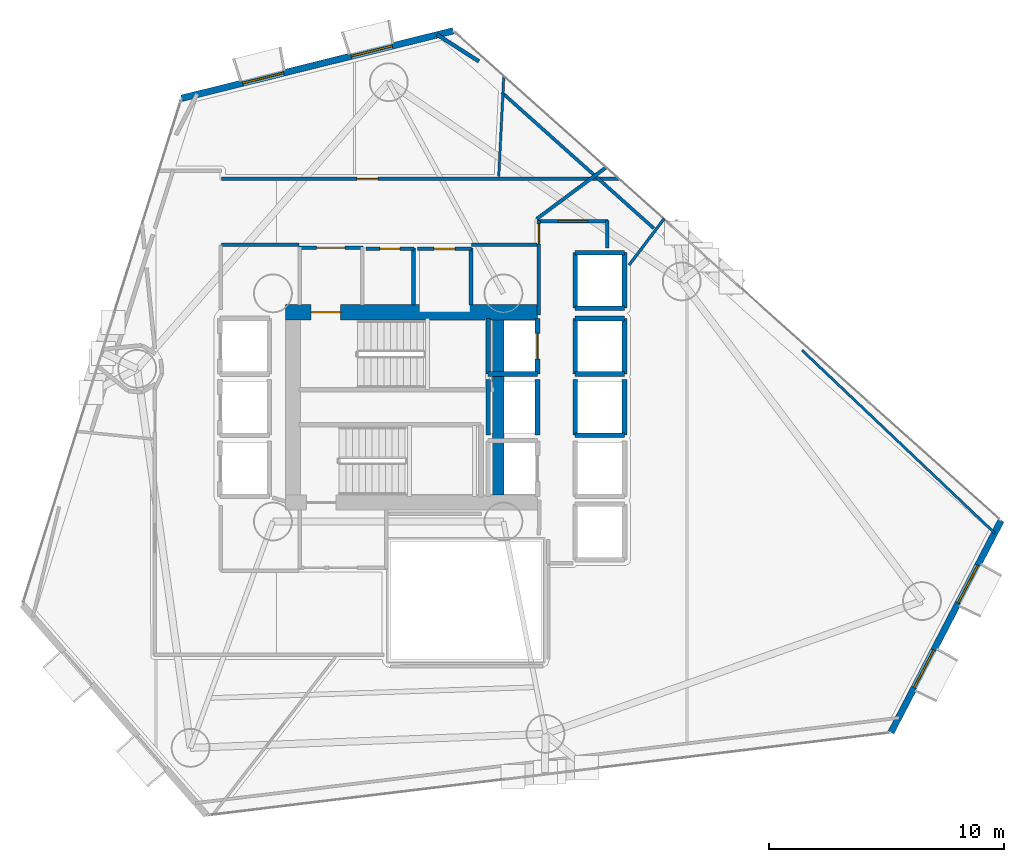
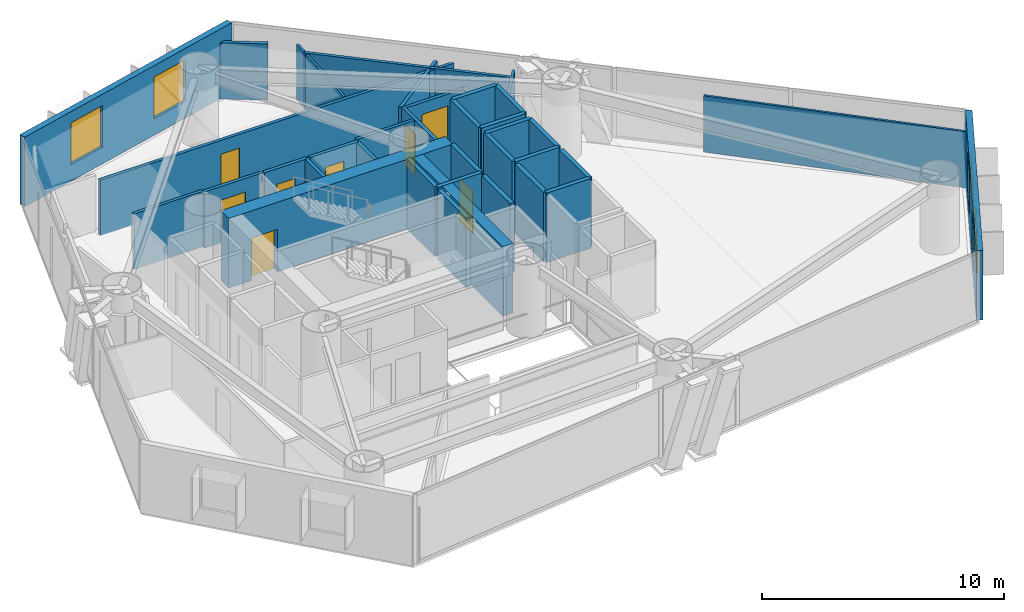
# One storey, part 19 of 24: 37 walls, 8 doors, 4 windows, 12 openings.
"""IFC4 building model written with IfcOpenShell, lengths in metres."""

from ifc_helpers import new_model, si_unit, direction, frame, frame_2d, origin, place, context, subcontext, project, spatial, rectangle, extrude, material, layer, layer_set, type_object, element, fill, save


model = new_model("IFC4")

# Units and contexts
model_context = context("Model", 3, precision=1e-05, world=origin(), true_north=direction((0.0, 1.0)))
body_context = subcontext(model_context, "Body", "Model", "MODEL_VIEW")
ifc_project = project(units=[si_unit("LENGTHUNIT", "METRE"), si_unit("AREAUNIT", "SQUARE_METRE"), si_unit("VOLUMEUNIT", "CUBIC_METRE"), si_unit("PLANEANGLEUNIT", "RADIAN"), si_unit("MASSUNIT", "GRAM", prefix="KILO")], contexts=[model_context])

# Site, building, storey
site_placement = place(None, origin())
site = spatial("IfcSite", under=ifc_project, at=site_placement, CompositionType="ELEMENT")
building_placement = place(site_placement, origin())
building = spatial("IfcBuilding", under=site, at=building_placement, Name="Qianvela Tower", CompositionType="ELEMENT")
storey_placement = place(building_placement, frame((0.0, 0.0, 71.0)))
storey = spatial("IfcBuildingStorey", under=building, at=storey_placement, Name="L17", CompositionType="ELEMENT", Elevation=71.0)

# Wall, openings, windows
ifc_material_1 = material(Name="Terracotta Cladding on Concrete C40", Category="masonry")
ifc_layer_1 = layer(ifc_material_1, 0.280029296875)
ifc_layer_set_1 = layer_set([ifc_layer_1], Name="Terracotta Cladding on Concrete C40")
wall_type_1 = type_object("IfcWallType", Name="TERRACOTTA-WALL-280", PredefinedType="SOLIDWALL", material=ifc_layer_set_1)
wall_1_placement = place(storey_placement, frame((54.879150390625, 14.88330078125, 0.0), z_axis=(0.0, 0.0, 1.0), x_axis=(0.461177770225, 0.887307761856, 0.0)))
wall_1 = element("IfcWall", 1, at=wall_1_placement, inside=storey, type_object=wall_type_1, Name="L17 Terracotta Chamfer Facet Wall 1", PredefinedType="SOLIDWALL", context=body_context, shape_type="SweptSolid", body=[
    extrude(rectangle(XDim=10.1494140625, YDim=0.280029296875, at=frame_2d((5.07470703125, 0.0))), origin(), (0.0, 0.0, 1.0), 3.52001953125),
])
opening_1_placement = place(wall_1_placement, frame((2.144775390625, 0.0, 0.85009765625)))
opening_1 = element("IfcOpeningElement", 2, at=opening_1_placement, cuts=wall_1, Name="Opening W-01", PredefinedType="OPENING", context=body_context, shape_type="SweptSolid", body=[
    extrude(rectangle(XDim=1.800048828125, YDim=2.10009765625, at=frame_2d((0.89990234375, 1.050048828125))), frame((0.0, 0.14990234375, 0.0), z_axis=(0.0, -1.0, 0.0), x_axis=(1.0, 0.0, 0.0)), (0.0, 0.0, 1.0), 0.300048828125),
])
opening_2_placement = place(wall_1_placement, frame((6.20458984375, 0.0, 0.85009765625)))
opening_2 = element("IfcOpeningElement", 3, at=opening_2_placement, cuts=wall_1, Name="Opening W-01", PredefinedType="OPENING", context=body_context, shape_type="SweptSolid", body=[
    extrude(rectangle(XDim=1.800048828125, YDim=2.10009765625, at=frame_2d((0.89990234375, 1.050048828125))), frame((0.0, 0.14990234375, 0.0), z_axis=(0.0, -1.0, 0.0), x_axis=(1.0, 0.0, 0.0)), (0.0, 0.0, 1.0), 0.300048828125),
])
ifc_material_2 = material(Name="Thermally Broken Aluminium and Low-E Glass", Category="aluminium")
window_type = type_object("IfcWindowType", Name="WIN-TC-1800x2100", PartitioningType="DOUBLE_PANEL_VERTICAL", PredefinedType="WINDOW", material=ifc_material_2)
window_1_placement = place(opening_1_placement, origin())
window_1 = element("IfcWindow", 4, at=window_1_placement, inside=storey, type_object=window_type, Name="L17 Chamfer Facet Window 1.1", OverallHeight=2.10009765625, OverallWidth=1.800048828125, PartitioningType="SINGLE_PANEL", PredefinedType="WINDOW", context=body_context, shape_type="SweptSolid", body=[
    extrude(rectangle(XDim=1.800048828125, YDim=2.10009765625, at=frame_2d((0.89990234375, 1.050048828125))), frame((0.0, 0.030029296875, 0.0), z_axis=(0.0, -1.0, 0.0), x_axis=(1.0, 0.0, 0.0)), (0.0, 0.0, 1.0), 0.06005859375),
])
fill(opening_1, window_1)
window_2_placement = place(opening_2_placement, origin())
window_2 = element("IfcWindow", 5, at=window_2_placement, inside=storey, type_object=window_type, Name="L17 Chamfer Facet Window 1.2", OverallHeight=2.10009765625, OverallWidth=1.800048828125, PartitioningType="SINGLE_PANEL", PredefinedType="WINDOW", context=body_context, shape_type="SweptSolid", body=[
    extrude(rectangle(XDim=1.800048828125, YDim=2.10009765625, at=frame_2d((0.89990234375, 1.050048828125))), frame((0.0, 0.030029296875, 0.0), z_axis=(0.0, -1.0, 0.0), x_axis=(1.0, 0.0, 0.0)), (0.0, 0.0, 1.0), 0.06005859375),
])
fill(opening_2, window_2)

wall_2_placement = place(storey_placement, frame((36.263916015625, 44.712890625, 0.0), z_axis=(0.0, 0.0, 1.0), x_axis=(-0.97052151051, -0.241014517483, 0.0)))
wall_2 = element("IfcWall", 6, at=wall_2_placement, inside=storey, type_object=wall_type_1, Name="L17 Terracotta Chamfer Facet Wall 3", PredefinedType="SOLIDWALL", context=body_context, shape_type="SweptSolid", body=[
    extrude(rectangle(XDim=11.8984375, YDim=0.280029296875, at=frame_2d((5.94921875, 0.0))), origin(), (0.0, 0.0, 1.0), 3.52001953125),
])
opening_3_placement = place(wall_2_placement, frame((2.66943359375, 0.0, 0.85009765625)))
opening_3 = element("IfcOpeningElement", 7, at=opening_3_placement, cuts=wall_2, Name="Opening W-01", PredefinedType="OPENING", context=body_context, shape_type="SweptSolid", body=[
    extrude(rectangle(XDim=1.800048828125, YDim=2.10009765625, at=frame_2d((0.89990234375, 1.050048828125))), frame((0.0, 0.14990234375, 0.0), z_axis=(0.0, -1.0, 0.0), x_axis=(1.0, 0.0, 0.0)), (0.0, 0.0, 1.0), 0.300048828125),
])
opening_4_placement = place(wall_2_placement, frame((7.4287109375, 0.0, 0.85009765625)))
opening_4 = element("IfcOpeningElement", 8, at=opening_4_placement, cuts=wall_2, Name="Opening W-01", PredefinedType="OPENING", context=body_context, shape_type="SweptSolid", body=[
    extrude(rectangle(XDim=1.800048828125, YDim=2.10009765625, at=frame_2d((0.89990234375, 1.050048828125))), frame((0.0, 0.14990234375, 0.0), z_axis=(0.0, -1.0, 0.0), x_axis=(1.0, 0.0, 0.0)), (0.0, 0.0, 1.0), 0.300048828125),
])
window_3_placement = place(opening_3_placement, origin())
window_3 = element("IfcWindow", 9, at=window_3_placement, inside=storey, type_object=window_type, Name="L17 Chamfer Facet Window 3.1", OverallHeight=2.10009765625, OverallWidth=1.800048828125, PartitioningType="SINGLE_PANEL", PredefinedType="WINDOW", context=body_context, shape_type="SweptSolid", body=[
    extrude(rectangle(XDim=1.800048828125, YDim=2.10009765625, at=frame_2d((0.89990234375, 1.050048828125))), frame((0.0, 0.030029296875, 0.0), z_axis=(0.0, -1.0, 0.0), x_axis=(1.0, 0.0, 0.0)), (0.0, 0.0, 1.0), 0.06005859375),
])
fill(opening_3, window_3)
window_4_placement = place(opening_4_placement, origin())
window_4 = element("IfcWindow", 10, at=window_4_placement, inside=storey, type_object=window_type, Name="L17 Chamfer Facet Window 3.2", OverallHeight=2.10009765625, OverallWidth=1.800048828125, PartitioningType="SINGLE_PANEL", PredefinedType="WINDOW", context=body_context, shape_type="SweptSolid", body=[
    extrude(rectangle(XDim=1.800048828125, YDim=2.10009765625, at=frame_2d((0.89990234375, 1.050048828125))), frame((0.0, 0.030029296875, 0.0), z_axis=(0.0, -1.0, 0.0), x_axis=(1.0, 0.0, 0.0)), (0.0, 0.0, 1.0), 0.06005859375),
])
fill(opening_4, window_4)

# Wall, opening, door
ifc_material_3 = material(Name="Concrete C60", Category="concrete")
ifc_layer_2 = layer(ifc_material_3, 0.64990234375)
ifc_layer_set_2 = layer_set([ifc_layer_2], Name="Concrete C60")
wall_type_2 = type_object("IfcWallType", Name="WT-CORE-650", PredefinedType="SHEAR", material=ifc_layer_set_2)
wall_3_placement = place(storey_placement, frame((29.1298828125, 32.7451171875, 0.0), z_axis=(0.0, 0.0, 1.0), x_axis=(1.0, 0.0, 0.0)))
wall_3 = element("IfcWall", 11, at=wall_3_placement, inside=storey, type_object=wall_type_2, Name="L17 North Core Shear Wall", PredefinedType="SHEAR", context=body_context, shape_type="SweptSolid", body=[
    extrude(rectangle(XDim=10.72021484375, YDim=0.64990234375, at=frame_2d((5.360107421875, 0.0))), origin(), (0.0, 0.0, 1.0), 3.52001953125),
])
opening_5_placement = place(wall_3_placement, frame((1.094970703125, 0.0, 0.0)))
opening_5 = element("IfcOpeningElement", 12, at=opening_5_placement, cuts=wall_3, Name="Opening D-ST1", PredefinedType="OPENING", context=body_context, shape_type="SweptSolid", body=[
    extrude(rectangle(XDim=1.25, YDim=2.14990234375, at=frame_2d((0.625, 1.074951171875))), frame((0.0, 0.3349609375, 0.0), z_axis=(0.0, -1.0, 0.0), x_axis=(1.0, 0.0, 0.0)), (0.0, 0.0, 1.0), 0.669921875),
])
ifc_material_4 = material(Name="Galvanised Fire Steel Q355B", Category="steel")
door_type_1 = type_object("IfcDoorType", Name="DT-STAIR-FD90", OperationType="NOTDEFINED", PredefinedType="DOOR", material=ifc_material_4)
door_1_placement = place(opening_5_placement, origin())
door_1 = element("IfcDoor", 13, at=door_1_placement, inside=storey, type_object=door_type_1, Name="L17 Stair ST-1 Exit Door", OperationType="SINGLE_SWING_RIGHT", OverallHeight=2.14990234375, OverallWidth=1.25, PredefinedType="DOOR", context=body_context, shape_type="SweptSolid", body=[
    extrude(rectangle(XDim=1.25, YDim=2.14990234375, at=frame_2d((0.625, 1.074951171875))), frame((0.0, 0.02490234375, 0.0), z_axis=(0.0, -1.0, 0.0), x_axis=(1.0, 0.0, 0.0)), (0.0, 0.0, 1.0), 0.050048828125),
])
fill(opening_5, door_1)

# Wall
wall_4_placement = place(storey_placement, frame((38.179931640625, 24.97998046875, 0.0), z_axis=(0.0, 0.0, 1.0), x_axis=(0.0, 1.0, 0.0)))
element("IfcWall", 14, at=wall_4_placement, inside=storey, type_object=wall_type_2, Name="L17 East Spine Core Shear Wall", PredefinedType="SHEAR", context=body_context, shape_type="SweptSolid", body=[
    extrude(rectangle(XDim=7.43994140625, YDim=0.5, at=frame_2d((3.719970703125, 0.0))), origin(), (0.0, 0.0, 1.0), 3.52001953125),
])

# Wall, opening, door
ifc_material_5 = material(Name="Fire-Rated Acoustic Gypsum Board")
ifc_layer_3 = layer(ifc_material_5, 0.14990234375)
ifc_layer_set_3 = layer_set([ifc_layer_3], Name="Fire-Rated Acoustic Gypsum Board")
wall_type_3 = type_object("IfcWallType", Name="WT-CORR-150", PredefinedType="PARTITIONING", material=ifc_layer_set_3)
wall_5_placement = place(storey_placement, frame((29.699951171875, 35.489013671875, 0.0), z_axis=(0.0, 0.0, 1.0), x_axis=(1.0, 0.0, 0.0)))
wall_5 = element("IfcWall", 15, at=wall_5_placement, inside=storey, type_object=wall_type_3, Name="L17 Partition 3", PredefinedType="PARTITIONING", context=body_context, shape_type="SweptSolid", body=[
    extrude(rectangle(XDim=2.719970703125, YDim=0.14990234375, at=frame_2d((1.35986328125, 0.0))), origin(), (0.0, 0.0, 1.0), 2.840087890625),
])
opening_6_placement = place(wall_5_placement, frame((0.760009765625, 0.0, 0.0)))
opening_6 = element("IfcOpeningElement", 16, at=opening_6_placement, cuts=wall_5, Name="Opening D-LB1", PredefinedType="OPENING", context=body_context, shape_type="SweptSolid", body=[
    extrude(rectangle(XDim=1.199951171875, YDim=2.14990234375, at=frame_2d((0.60009765625, 1.074951171875))), frame((0.0, 0.0849609375, 0.0), z_axis=(0.0, -1.0, 0.0), x_axis=(1.0, 0.0, 0.0)), (0.0, 0.0, 1.0), 0.169921875),
])
ifc_material_6 = material(Name="Glazed Fire-Rated Steel Frame", Category="steel")
door_type_2 = type_object("IfcDoorType", Name="DT-LOBBY-FD90", OperationType="NOTDEFINED", PredefinedType="DOOR", material=ifc_material_6)
door_2_placement = place(opening_6_placement, origin())
door_2 = element("IfcDoor", 17, at=door_2_placement, inside=storey, type_object=door_type_2, Name="L17 Door L17 Firefighting Lobby North to L17 Floor Corridor", OperationType="SINGLE_SWING_LEFT", OverallHeight=2.14990234375, OverallWidth=1.199951171875, PredefinedType="DOOR", context=body_context, shape_type="SweptSolid", body=[
    extrude(rectangle(XDim=1.199951171875, YDim=2.14990234375, at=frame_2d((0.60009765625, 1.074951171875))), frame((0.0, 0.02490234375, 0.0), z_axis=(0.0, -1.0, 0.0), x_axis=(1.0, 0.0, 0.0)), (0.0, 0.0, 1.0), 0.050048828125),
])
fill(opening_6, door_2)

wall_6_placement = place(storey_placement, frame((39.910888671875, 32.639892578125, 0.0), z_axis=(0.0, 0.0, 1.0), x_axis=(0.0, 1.0, 0.0)))
wall_6 = element("IfcWall", 18, at=wall_6_placement, inside=storey, type_object=wall_type_3, Name="L17 Partition 10", PredefinedType="PARTITIONING", context=body_context, shape_type="SweptSolid", body=[
    extrude(rectangle(XDim=4.010009765625, YDim=0.14990234375, at=frame_2d((2.0048828125, 0.0))), origin(), (0.0, 0.0, 1.0), 2.840087890625),
])
opening_7_placement = place(wall_6_placement, frame((3.010009765625, 0.0, 0.0)))
opening_7 = element("IfcOpeningElement", 19, at=opening_7_placement, cuts=wall_6, Name="Opening D-LB2", PredefinedType="OPENING", context=body_context, shape_type="SweptSolid", body=[
    extrude(rectangle(XDim=0.860107421875, YDim=2.050048828125, at=frame_2d((0.43017578125, 1.02490234375))), frame((0.0, 0.0849609375, 0.0), z_axis=(0.0, -1.0, 0.0), x_axis=(1.0, 0.0, 0.0)), (0.0, 0.0, 1.0), 0.169921875),
])
ifc_material_7 = material(Name="Insulated Steel Fire Door Q355B", Category="steel")
door_type_3 = type_object("IfcDoorType", Name="DT-LOBBY-FD90-860", OperationType="NOTDEFINED", PredefinedType="DOOR", material=ifc_material_7)
door_3_placement = place(opening_7_placement, origin())
door_3 = element("IfcDoor", 20, at=door_3_placement, inside=storey, type_object=door_type_3, Name="L17 Door L17 Lift Lobby to L17 Floor Corridor", OperationType="SINGLE_SWING_LEFT", OverallHeight=2.050048828125, OverallWidth=0.860107421875, PredefinedType="DOOR", context=body_context, shape_type="SweptSolid", body=[
    extrude(rectangle(XDim=0.860107421875, YDim=2.050048828125, at=frame_2d((0.43017578125, 1.02490234375))), frame((0.0, 0.02490234375, 0.0), z_axis=(0.0, -1.0, 0.0), x_axis=(1.0, 0.0, 0.0)), (0.0, 0.0, 1.0), 0.050048828125),
])
fill(opening_7, door_3)

wall_7_placement = place(storey_placement, frame((39.8798828125, 36.618896484375, 0.0), z_axis=(0.0, 0.0, 1.0), x_axis=(1.0, 0.0, 0.0)))
wall_7 = element("IfcWall", 21, at=wall_7_placement, inside=storey, type_object=wall_type_3, Name="L17 Partition 11", PredefinedType="PARTITIONING", context=body_context, shape_type="SweptSolid", body=[
    extrude(rectangle(XDim=2.97021484375, YDim=0.14990234375, at=frame_2d((1.485107421875, 0.0))), origin(), (0.0, 0.0, 1.0), 2.798095703125),
])
opening_8_placement = place(wall_7_placement, frame((0.860107421875, 0.0, 0.0)))
opening_8 = element("IfcOpeningElement", 22, at=opening_8_placement, cuts=wall_7, Name="Opening D-LG1", PredefinedType="OPENING", context=body_context, shape_type="SweptSolid", body=[
    extrude(rectangle(XDim=1.25, YDim=2.199951171875, at=frame_2d((0.625, 1.10009765625))), frame((0.0, 0.0849609375, 0.0), z_axis=(0.0, -1.0, 0.0), x_axis=(1.0, 0.0, 0.0)), (0.0, 0.0, 1.0), 0.169921875),
])
ifc_material_8 = material(Name="Anodised Aluminium Acoustic Glass Door", Category="aluminium")
door_type_4 = type_object("IfcDoorType", Name="DT-LOUNGE-1250", OperationType="NOTDEFINED", PredefinedType="DOOR", material=ifc_material_8)
door_4_placement = place(opening_8_placement, origin())
door_4 = element("IfcDoor", 23, at=door_4_placement, inside=storey, type_object=door_type_4, Name="L17 Door Project Huddle Conference L17-03 to L17 Lift Lobby", OperationType="SINGLE_SWING_RIGHT", OverallHeight=2.199951171875, OverallWidth=1.25, PredefinedType="DOOR", context=body_context, shape_type="SweptSolid", body=[
    extrude(rectangle(XDim=1.25, YDim=2.199951171875, at=frame_2d((0.625, 1.10009765625))), frame((0.0, 0.02490234375, 0.0), z_axis=(0.0, -1.0, 0.0), x_axis=(1.0, 0.0, 0.0)), (0.0, 0.0, 1.0), 0.050048828125),
])
fill(opening_8, door_4)

# Wall
wall_8_placement = place(storey_placement, frame((42.819091796875, 36.64990234375, 0.0), z_axis=(0.0, 0.0, 1.0), x_axis=(0.0, -1.0, 0.0)))
element("IfcWall", 24, at=wall_8_placement, inside=storey, type_object=wall_type_3, Name="L17 Partition 12", PredefinedType="PARTITIONING", context=body_context, shape_type="SweptSolid", body=[
    extrude(rectangle(XDim=1.169921875, YDim=0.14990234375, at=frame_2d((0.5849609375, 0.0))), origin(), (0.0, 0.0, 1.0), 2.798095703125),
])

# Wall, opening, door
wall_9_placement = place(storey_placement, frame((26.419921875, 38.4189453125, 0.0), z_axis=(0.0, 0.0, 1.0), x_axis=(1.0, 0.0, 0.0)))
wall_9 = element("IfcWall", 25, at=wall_9_placement, inside=storey, type_object=wall_type_3, Name="L17 Partition 42", PredefinedType="PARTITIONING", context=body_context, shape_type="SweptSolid", body=[
    extrude(rectangle(XDim=16.905029296875, YDim=0.14990234375, at=frame_2d((8.45263671875, 0.0))), origin(), (0.0, 0.0, 1.0), 2.798095703125),
])
opening_9_placement = place(wall_9_placement, frame((5.75439453125, 0.0, 0.0)))
opening_9 = element("IfcOpeningElement", 26, at=opening_9_placement, cuts=wall_9, Name="Opening D-KT1", PredefinedType="OPENING", context=body_context, shape_type="SweptSolid", body=[
    extrude(rectangle(XDim=0.89990234375, YDim=2.10009765625, at=frame_2d((0.449951171875, 1.050048828125))), frame((0.0, 0.0849609375, 0.0), z_axis=(0.0, -1.0, 0.0), x_axis=(1.0, 0.0, 0.0)), (0.0, 0.0, 1.0), 0.169921875),
])
ifc_material_9 = material(Name="Glazed Timber Kitchen Door", Category="wood")
door_type_5 = type_object("IfcDoorType", Name="DT-KITCH-900", OperationType="NOTDEFINED", PredefinedType="DOOR", material=ifc_material_9)
door_5_placement = place(opening_9_placement, origin())
door_5 = element("IfcDoor", 27, at=door_5_placement, inside=storey, type_object=door_type_5, Name="L17 Door Shared Communal Kitchen L17-04 to L17 Floor Corridor", OperationType="SINGLE_SWING_LEFT", OverallHeight=2.10009765625, OverallWidth=0.89990234375, PredefinedType="DOOR", context=body_context, shape_type="SweptSolid", body=[
    extrude(rectangle(XDim=0.89990234375, YDim=2.10009765625, at=frame_2d((0.449951171875, 1.050048828125))), frame((0.0, 0.02490234375, 0.0), z_axis=(0.0, -1.0, 0.0), x_axis=(1.0, 0.0, 0.0)), (0.0, 0.0, 1.0), 0.050048828125),
])
fill(opening_9, door_5)

# Walls
wall_10_placement = place(storey_placement, frame((42.778564453125, 38.916015625, 0.0), z_axis=(0.0, 0.0, 1.0), x_axis=(-0.802815270804, -0.596227843164, 0.0)))
element("IfcWall", 28, at=wall_10_placement, inside=storey, type_object=wall_type_3, Name="L17 Partition 43", PredefinedType="PARTITIONING", context=body_context, shape_type="SweptSolid", body=[
    extrude(rectangle(XDim=3.693115234375, YDim=0.14990234375, at=frame_2d((1.8466796875, 0.0))), origin(), (0.0, 0.0, 1.0), 2.798095703125),
])
wall_11_placement = place(storey_placement, frame((39.818115234375, 35.611083984375, 0.0), z_axis=(0.0, 0.0, 1.0), x_axis=(-1.0, 0.0, 0.0)))
element("IfcWall", 29, at=wall_11_placement, inside=storey, type_object=wall_type_3, Name="L17 Partition 45 seg 1", PredefinedType="PARTITIONING", context=body_context, shape_type="SweptSolid", body=[
    extrude(rectangle(XDim=2.76806640625, YDim=0.14990234375, at=frame_2d((1.384033203125, 0.0))), origin(), (0.0, 0.0, 1.0), 2.840087890625),
])
wall_12_placement = place(storey_placement, frame((29.699951171875, 35.611083984375, 0.0), z_axis=(0.0, 0.0, 1.0), x_axis=(-1.0, 0.0, 0.0)))
element("IfcWall", 30, at=wall_12_placement, inside=storey, type_object=wall_type_3, Name="L17 Partition 45 seg 4", PredefinedType="PARTITIONING", context=body_context, shape_type="SweptSolid", body=[
    extrude(rectangle(XDim=3.280029296875, YDim=0.14990234375, at=frame_2d((1.64013671875, 0.0))), origin(), (0.0, 0.0, 1.0), 2.798095703125),
])
ifc_material_10 = material(Name="Lightweight Gypsum Room Partition")
ifc_layer_4 = layer(ifc_material_10, 0.10498046875)
ifc_layer_set_4 = layer_set([ifc_layer_4], Name="Lightweight Gypsum Room Partition")
wall_type_4 = type_object("IfcWallType", Name="WT-PART-105", PredefinedType="PARTITIONING", material=ifc_layer_set_4)
wall_13_placement = place(storey_placement, frame((51.092041015625, 31.13623046875, 0.0), z_axis=(0.0, 0.0, 1.0), x_axis=(0.725429168488, -0.6882968266, 0.0)))
element("IfcWall", 31, at=wall_13_placement, inside=storey, type_object=wall_type_4, Name="L17 Partition 71 seg 2", PredefinedType="PARTITIONING", context=body_context, shape_type="SweptSolid", body=[
    extrude(rectangle(XDim=11.3154296875, YDim=0.10498046875, at=frame_2d((5.65771484375, 0.0))), origin(), (0.0, 0.0, 1.0), 2.840087890625),
])
wall_14_placement = place(storey_placement, frame((38.201904296875, 38.5283203125, 0.0), z_axis=(0.0, 0.0, 1.0), x_axis=(0.050179078892, 0.998740236519, 0.0)))
element("IfcWall", 32, at=wall_14_placement, inside=storey, type_object=wall_type_4, Name="L17 Partition 80", PredefinedType="PARTITIONING", context=body_context, shape_type="SweptSolid", body=[
    extrude(rectangle(XDim=4.286376953125, YDim=0.10498046875, at=frame_2d((2.14306640625, 0.0))), origin(), (0.0, 0.0, 1.0), 2.798095703125),
])
ifc_material_11 = material(Name="Insulated Gypsum Stud Partition")
ifc_layer_5 = layer(ifc_material_11, 0.1201171875)
ifc_layer_set_5 = layer_set([ifc_layer_5], Name="Insulated Gypsum Stud Partition")
wall_type_5 = type_object("IfcWallType", Name="WT-PART-120", PredefinedType="PARTITIONING", material=ifc_layer_set_5)
wall_15_placement = place(storey_placement, frame((43.74462890625, 34.754638671875, 0.0), z_axis=(0.0, 0.0, 1.0), x_axis=(0.602830289466, 0.797869439258, 0.0)))
element("IfcWall", 33, at=wall_15_placement, inside=storey, type_object=wall_type_5, Name="L17 Partition 70", PredefinedType="PARTITIONING", context=body_context, shape_type="SweptSolid", body=[
    extrude(rectangle(XDim=2.46728515625, YDim=0.1201171875, at=frame_2d((1.233642578125, 0.0))), origin(), (0.0, 0.0, 1.0), 2.798095703125),
])

# Wall, opening, door
ifc_material_12 = material(Name="Sanitary Service Chase Partition")
ifc_layer_6 = layer(ifc_material_12, 0.1650390625)
ifc_layer_set_6 = layer_set([ifc_layer_6], Name="Sanitary Service Chase Partition")
wall_type_6 = type_object("IfcWallType", Name="WT-PLUMB-165", PredefinedType="PLUMBINGWALL", material=ifc_layer_set_6)
wall_16_placement = place(storey_placement, frame((32.550048828125, 35.448974609375, 0.0), z_axis=(0.0, 0.0, 1.0), x_axis=(1.0, 0.0, 0.0)))
wall_16 = element("IfcWall", 34, at=wall_16_placement, inside=storey, type_object=wall_type_6, Name="L17 Partition 20", PredefinedType="PLUMBINGWALL", context=body_context, shape_type="SweptSolid", body=[
    extrude(rectangle(XDim=2.050048828125, YDim=0.1650390625, at=frame_2d((1.02490234375, 0.0))), origin(), (0.0, 0.0, 1.0), 2.840087890625),
])
opening_10_placement = place(wall_16_placement, frame((0.594970703125, 0.0, 0.0)))
opening_10 = element("IfcOpeningElement", 35, at=opening_10_placement, cuts=wall_16, Name="Opening D-WC1", PredefinedType="OPENING", context=body_context, shape_type="SweptSolid", body=[
    extrude(rectangle(XDim=0.860107421875, YDim=2.050048828125, at=frame_2d((0.43017578125, 1.02490234375))), frame((0.0, 0.092529296875, 0.0), z_axis=(0.0, -1.0, 0.0), x_axis=(1.0, 0.0, 0.0)), (0.0, 0.0, 1.0), 0.18505859375),
])
ifc_material_13 = material(Name="Moisture-Sealed Acoustic Timber Door", Category="wood")
door_type_6 = type_object("IfcDoorType", Name="DT-WC-860", OperationType="NOTDEFINED", PredefinedType="DOOR", material=ifc_material_13)
door_6_placement = place(opening_10_placement, origin())
door_6 = element("IfcDoor", 36, at=door_6_placement, inside=storey, type_object=door_type_6, Name="L17 Door L17 Accessible WC to L17 Floor Corridor", OperationType="SINGLE_SWING_RIGHT", OverallHeight=2.050048828125, OverallWidth=0.860107421875, PredefinedType="DOOR", context=body_context, shape_type="SweptSolid", body=[
    extrude(rectangle(XDim=0.860107421875, YDim=2.050048828125, at=frame_2d((0.43017578125, 1.02490234375))), frame((0.0, 0.02490234375, 0.0), z_axis=(0.0, -1.0, 0.0), x_axis=(1.0, 0.0, 0.0)), (0.0, 0.0, 1.0), 0.050048828125),
])
fill(opening_10, door_6)

# Wall
wall_17_placement = place(storey_placement, frame((34.569091796875, 35.47998046875, 0.0), z_axis=(0.0, 0.0, 1.0), x_axis=(0.0, -1.0, 0.0)))
element("IfcWall", 37, at=wall_17_placement, inside=storey, type_object=wall_type_6, Name="L17 Partition 21", PredefinedType="PLUMBINGWALL", context=body_context, shape_type="SweptSolid", body=[
    extrude(rectangle(XDim=2.421875, YDim=0.1650390625, at=frame_2d((1.2109375, 0.0))), origin(), (0.0, 0.0, 1.0), 2.840087890625),
])

# Wall, opening, door
wall_18_placement = place(storey_placement, frame((34.75, 35.448974609375, 0.0), z_axis=(0.0, 0.0, 1.0), x_axis=(1.0, 0.0, 0.0)))
wall_18 = element("IfcWall", 38, at=wall_18_placement, inside=storey, type_object=wall_type_6, Name="L17 Partition 24", PredefinedType="PLUMBINGWALL", context=body_context, shape_type="SweptSolid", body=[
    extrude(rectangle(XDim=2.300048828125, YDim=0.1650390625, at=frame_2d((1.14990234375, 0.0))), origin(), (0.0, 0.0, 1.0), 2.840087890625),
])
opening_11_placement = place(wall_18_placement, frame((0.699951171875, 0.0, 0.0)))
opening_11 = element("IfcOpeningElement", 39, at=opening_11_placement, cuts=wall_18, Name="Opening D-KT1", PredefinedType="OPENING", context=body_context, shape_type="SweptSolid", body=[
    extrude(rectangle(XDim=0.89990234375, YDim=2.10009765625, at=frame_2d((0.449951171875, 1.050048828125))), frame((0.0, 0.092529296875, 0.0), z_axis=(0.0, -1.0, 0.0), x_axis=(1.0, 0.0, 0.0)), (0.0, 0.0, 1.0), 0.18505859375),
])
door_7_placement = place(opening_11_placement, origin())
door_7 = element("IfcDoor", 40, at=door_7_placement, inside=storey, type_object=door_type_5, Name="L17 Door L17 Core Tea Pantry to L17 Floor Corridor", OperationType="SINGLE_SWING_LEFT", OverallHeight=2.10009765625, OverallWidth=0.89990234375, PredefinedType="DOOR", context=body_context, shape_type="SweptSolid", body=[
    extrude(rectangle(XDim=0.89990234375, YDim=2.10009765625, at=frame_2d((0.449951171875, 1.050048828125))), frame((0.0, 0.02490234375, 0.0), z_axis=(0.0, -1.0, 0.0), x_axis=(1.0, 0.0, 0.0)), (0.0, 0.0, 1.0), 0.050048828125),
])
fill(opening_11, door_7)

# Walls
wall_19_placement = place(storey_placement, frame((37.01904296875, 35.47998046875, 0.0), z_axis=(0.0, 0.0, 1.0), x_axis=(0.0, -1.0, 0.0)))
element("IfcWall", 41, at=wall_19_placement, inside=storey, type_object=wall_type_6, Name="L17 Partition 25", PredefinedType="PLUMBINGWALL", context=body_context, shape_type="SweptSolid", body=[
    extrude(rectangle(XDim=2.421875, YDim=0.1650390625, at=frame_2d((1.2109375, 0.0))), origin(), (0.0, 0.0, 1.0), 2.840087890625),
])
wall_20_placement = place(storey_placement, frame((35.572509765625, 44.558349609375, 0.0), z_axis=(0.0, 0.0, 1.0), x_axis=(0.841727629047, -0.539902397196, 0.0)))
element("IfcWall", 42, at=wall_20_placement, inside=storey, type_object=wall_type_6, Name="L17 Partition 87 seg 1", PredefinedType="PLUMBINGWALL", context=body_context, shape_type="SweptSolid", body=[
    extrude(rectangle(XDim=2.12158203125, YDim=0.1650390625, at=frame_2d((1.060791015625, 0.0))), origin(), (0.0, 0.0, 1.0), 2.840087890625),
])
ifc_material_14 = material(Name="Acoustic Double Gypsum Stud Partition")
ifc_layer_7 = layer(ifc_material_14, 0.139892578125)
ifc_layer_set_7 = layer_set([ifc_layer_7], Name="Acoustic Double Gypsum Stud Partition")
wall_type_7 = type_object("IfcWallType", Name="WT-ROOM-140", PredefinedType="PARTITIONING", material=ifc_layer_set_7)
wall_21_placement = place(storey_placement, frame((38.330322265625, 42.093017578125, 0.0), z_axis=(0.0, 0.0, 1.0), x_axis=(0.745568655549, -0.666428825804, 0.0)))
element("IfcWall", 43, at=wall_21_placement, inside=storey, type_object=wall_type_7, Name="L17 Partition 81", PredefinedType="PARTITIONING", context=body_context, shape_type="SweptSolid", body=[
    extrude(rectangle(XDim=8.677978515625, YDim=0.139892578125, at=frame_2d((4.3388671875, 0.0))), origin(), (0.0, 0.0, 1.0), 2.840087890625),
])

# Wall, opening, door
ifc_material_15 = material(Name="Concrete C50", Category="concrete")
ifc_layer_8 = layer(ifc_material_15, 0.199951171875)
ifc_layer_set_8 = layer_set([ifc_layer_8], Name="Concrete C50")
wall_type_8 = type_object("IfcWallType", Name="WT-SHAFT-200", PredefinedType="SOLIDWALL", material=ifc_layer_set_8)
wall_22_placement = place(storey_placement, frame((39.85009765625, 30.1201171875, 0.0), z_axis=(0.0, 0.0, 1.0), x_axis=(0.0, 1.0, 0.0)))
wall_22 = element("IfcWall", 44, at=wall_22_placement, inside=storey, type_object=wall_type_8, Name="L17 Lift FL-1 E Shaft Wall", PredefinedType="SOLIDWALL", context=body_context, shape_type="SweptSolid", body=[
    extrude(rectangle(XDim=2.35986328125, YDim=0.199951171875, at=frame_2d((1.179931640625, 0.0))), origin(), (0.0, 0.0, 1.0), 3.52001953125),
])
opening_12_placement = place(wall_22_placement, frame((0.6298828125, 0.0, 0.0)))
opening_12 = element("IfcOpeningElement", 45, at=opening_12_placement, cuts=wall_22, Name="Opening LD-01", PredefinedType="OPENING", context=body_context, shape_type="SweptSolid", body=[
    extrude(rectangle(XDim=1.10009765625, YDim=2.14990234375, at=frame_2d((0.550048828125, 1.074951171875))), frame((0.0, 0.10986328125, 0.0), z_axis=(0.0, -1.0, 0.0), x_axis=(1.0, 0.0, 0.0)), (0.0, 0.0, 1.0), 0.219970703125),
])
ifc_material_16 = material(Name="Brushed Stainless Steel Lift Landing Door", Category="steel")
door_type_7 = type_object("IfcDoorType", Name="DT-LIFT-SLIDE-1100", OperationType="SLIDING_TO_LEFT", PredefinedType="DOOR", material=ifc_material_16)
door_8_placement = place(opening_12_placement, origin())
door_8 = element("IfcDoor", 46, at=door_8_placement, inside=storey, type_object=door_type_7, Name="L17 Lift FL-1 Sliding Landing Door", OperationType="SLIDING_TO_LEFT", OverallHeight=2.14990234375, OverallWidth=1.10009765625, PredefinedType="DOOR", context=body_context, shape_type="SweptSolid", body=[
    extrude(rectangle(XDim=1.10009765625, YDim=2.14990234375, at=frame_2d((0.550048828125, 1.074951171875))), frame((0.0, 0.02490234375, 0.0), z_axis=(0.0, -1.0, 0.0), x_axis=(1.0, 0.0, 0.0)), (0.0, 0.0, 1.0), 0.050048828125),
])
fill(opening_12, door_8)

# Walls
wall_23_placement = place(storey_placement, frame((37.75, 30.1201171875, 0.0), z_axis=(0.0, 0.0, 1.0), x_axis=(0.0, 1.0, 0.0)))
element("IfcWall", 47, at=wall_23_placement, inside=storey, type_object=wall_type_8, Name="L17 Lift FL-1 W Shaft Wall", PredefinedType="SOLIDWALL", context=body_context, shape_type="SweptSolid", body=[
    extrude(rectangle(XDim=2.35986328125, YDim=0.199951171875, at=frame_2d((1.179931640625, 0.0))), origin(), (0.0, 0.0, 1.0), 3.52001953125),
])
wall_24_placement = place(storey_placement, frame((37.75, 30.1201171875, 0.0), z_axis=(0.0, 0.0, 1.0), x_axis=(1.0, 0.0, 0.0)))
element("IfcWall", 48, at=wall_24_placement, inside=storey, type_object=wall_type_8, Name="L17 Lift FL-1 S Shaft Wall", PredefinedType="SOLIDWALL", context=body_context, shape_type="SweptSolid", body=[
    extrude(rectangle(XDim=2.10009765625, YDim=0.199951171875, at=frame_2d((1.050048828125, 0.0))), origin(), (0.0, 0.0, 1.0), 3.52001953125),
])
for number, where, z_axis, x_axis, name in (
    (49, (43.550048828125, 30.1201171875, 0.0), (0.0, 0.0, 1.0), (0.0, 1.0, 0.0), "L17 Lift PL-M1 E Shaft Wall"),
    (50, (41.449951171875, 30.1201171875, 0.0), (0.0, 0.0, 1.0), (0.0, 1.0, 0.0), "L17 Lift PL-M1 W Shaft Wall"),
):
    element("IfcWall", number, at=place(storey_placement, frame(where, z_axis=z_axis, x_axis=x_axis)), inside=storey, type_object=wall_type_8, Name=name, PredefinedType="SOLIDWALL", context=body_context, shape_type="SweptSolid", body=[
        extrude(rectangle(XDim=2.35986328125, YDim=0.199951171875, at=frame_2d((1.179931640625, 0.0))), origin(), (0.0, 0.0, 1.0), 3.52001953125),
    ])
for number, where, z_axis, x_axis, name in (
    (51, (41.449951171875, 32.47998046875, 0.0), (0.0, 0.0, 1.0), (1.0, 0.0, 0.0), "L17 Lift PL-M1 N Shaft Wall"),
    (52, (41.449951171875, 30.1201171875, 0.0), (0.0, 0.0, 1.0), (1.0, 0.0, 0.0), "L17 Lift PL-M1 S Shaft Wall"),
):
    element("IfcWall", number, at=place(storey_placement, frame(where, z_axis=z_axis, x_axis=x_axis)), inside=storey, type_object=wall_type_8, Name=name, PredefinedType="SOLIDWALL", context=body_context, shape_type="SweptSolid", body=[
        extrude(rectangle(XDim=2.10009765625, YDim=0.199951171875, at=frame_2d((1.050048828125, 0.0))), origin(), (0.0, 0.0, 1.0), 3.52001953125),
    ])
for number, where, z_axis, x_axis, name in (
    (53, (43.550048828125, 27.52001953125, 0.0), (0.0, 0.0, 1.0), (0.0, 1.0, 0.0), "L17 Lift PL-M2 E Shaft Wall"),
    (54, (41.449951171875, 27.52001953125, 0.0), (0.0, 0.0, 1.0), (0.0, 1.0, 0.0), "L17 Lift PL-M2 W Shaft Wall"),
):
    element("IfcWall", number, at=place(storey_placement, frame(where, z_axis=z_axis, x_axis=x_axis)), inside=storey, type_object=wall_type_8, Name=name, PredefinedType="SOLIDWALL", context=body_context, shape_type="SweptSolid", body=[
        extrude(rectangle(XDim=2.35986328125, YDim=0.199951171875, at=frame_2d((1.179931640625, 0.0))), origin(), (0.0, 0.0, 1.0), 3.52001953125),
    ])
wall_25_placement = place(storey_placement, frame((41.449951171875, 27.52001953125, 0.0), z_axis=(0.0, 0.0, 1.0), x_axis=(1.0, 0.0, 0.0)))
element("IfcWall", 55, at=wall_25_placement, inside=storey, type_object=wall_type_8, Name="L17 Lift PL-M2 S Shaft Wall", PredefinedType="SOLIDWALL", context=body_context, shape_type="SweptSolid", body=[
    extrude(rectangle(XDim=2.10009765625, YDim=0.199951171875, at=frame_2d((1.050048828125, 0.0))), origin(), (0.0, 0.0, 1.0), 3.52001953125),
])
for number, where, z_axis, x_axis, name in (
    (56, (39.85009765625, 27.52001953125, 0.0), (0.0, 0.0, 1.0), (0.0, 1.0, 0.0), "L17 Lift PL-H1 E Shaft Wall"),
    (57, (37.75, 27.52001953125, 0.0), (0.0, 0.0, 1.0), (0.0, 1.0, 0.0), "L17 Lift PL-H1 W Shaft Wall"),
):
    element("IfcWall", number, at=place(storey_placement, frame(where, z_axis=z_axis, x_axis=x_axis)), inside=storey, type_object=wall_type_8, Name=name, PredefinedType="SOLIDWALL", context=body_context, shape_type="SweptSolid", body=[
        extrude(rectangle(XDim=2.35986328125, YDim=0.199951171875, at=frame_2d((1.179931640625, 0.0))), origin(), (0.0, 0.0, 1.0), 3.52001953125),
    ])
for number, where, z_axis, x_axis, name in (
    (58, (43.550048828125, 32.919921875, 0.0), (0.0, 0.0, 1.0), (0.0, 1.0, 0.0), "L17 Lift PL-H3 E Shaft Wall"),
    (59, (41.449951171875, 32.919921875, 0.0), (0.0, 0.0, 1.0), (0.0, 1.0, 0.0), "L17 Lift PL-H3 W Shaft Wall"),
):
    element("IfcWall", number, at=place(storey_placement, frame(where, z_axis=z_axis, x_axis=x_axis)), inside=storey, type_object=wall_type_8, Name=name, PredefinedType="SOLIDWALL", context=body_context, shape_type="SweptSolid", body=[
        extrude(rectangle(XDim=2.360107421875, YDim=0.199951171875, at=frame_2d((1.18017578125, 0.0))), origin(), (0.0, 0.0, 1.0), 3.52001953125),
    ])
for number, where, z_axis, x_axis, name in (
    (60, (41.449951171875, 35.280029296875, 0.0), (0.0, 0.0, 1.0), (1.0, 0.0, 0.0), "L17 Lift PL-H3 N Shaft Wall"),
    (61, (41.449951171875, 32.919921875, 0.0), (0.0, 0.0, 1.0), (1.0, 0.0, 0.0), "L17 Lift PL-H3 S Shaft Wall"),
):
    element("IfcWall", number, at=place(storey_placement, frame(where, z_axis=z_axis, x_axis=x_axis)), inside=storey, type_object=wall_type_8, Name=name, PredefinedType="SOLIDWALL", context=body_context, shape_type="SweptSolid", body=[
        extrude(rectangle(XDim=2.10009765625, YDim=0.199951171875, at=frame_2d((1.050048828125, 0.0))), origin(), (0.0, 0.0, 1.0), 3.52001953125),
    ])

save(model, "model.ifc")
